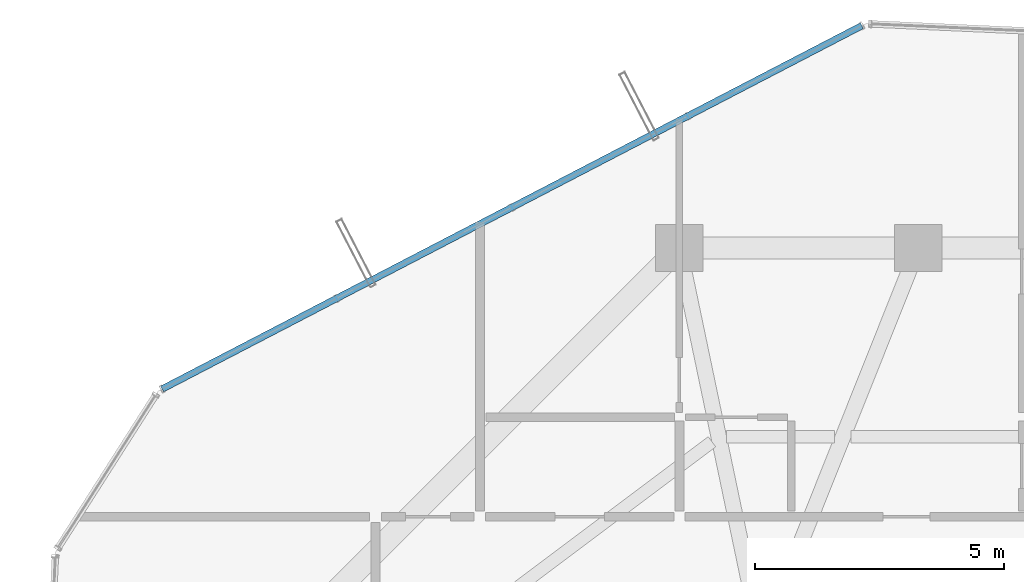
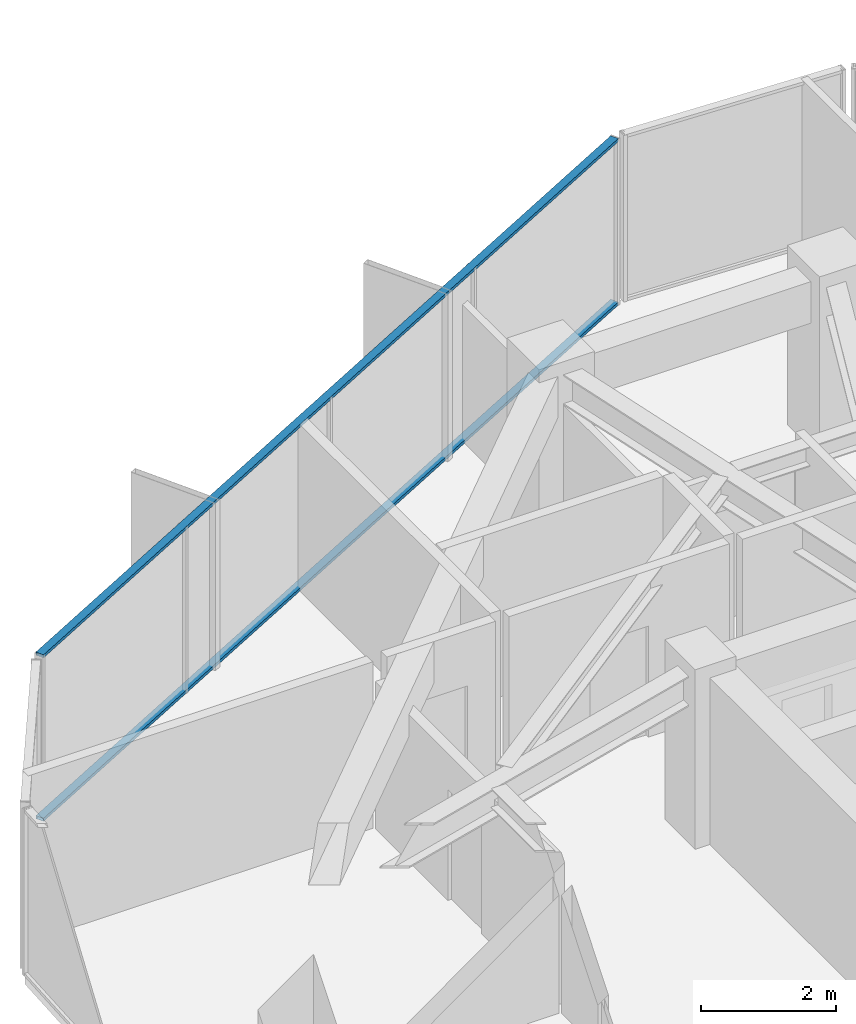
# One storey, part 19 of 29: 2 members, 1 element without a shape of its own.
"""IFC4 building model written with IfcOpenShell, lengths in metres."""

from ifc_helpers import new_model, si_unit, direction, frame, origin, origin_2d, place, context, subcontext, project, spatial, hollow_rectangle, extrude, source, transform, mapped, material, layer, layer_set, material_profile, profile_set, type_object, element, aggregate, save


model = new_model("IFC4")

# Units and contexts
model_context = context("Model", 3, precision=1e-05, world=origin(), true_north=direction((0.0, 1.0)))
body_context = subcontext(model_context, "Body", "Model", "MODEL_VIEW")
ifc_project = project(units=[si_unit("LENGTHUNIT", "METRE"), si_unit("AREAUNIT", "SQUARE_METRE"), si_unit("VOLUMEUNIT", "CUBIC_METRE"), si_unit("PLANEANGLEUNIT", "RADIAN"), si_unit("MASSUNIT", "GRAM", prefix="KILO")], contexts=[model_context])

# Site, building, storey
site_placement = place(None, origin())
site = spatial("IfcSite", under=ifc_project, at=site_placement, CompositionType="ELEMENT")
building_placement = place(site_placement, origin())
building = spatial("IfcBuilding", under=site, at=building_placement, Name="Veraguas Prism Commons", CompositionType="ELEMENT")
storey_placement = place(building_placement, frame((0.0, 0.0, 215.64990234375)))
storey = spatial("IfcBuildingStorey", under=building, at=storey_placement, Name="L61", CompositionType="ELEMENT", Elevation=215.64990234375)

# Curtain wall, members
ifc_material = material(Name="Anodised aluminium EN AW-6063 T6", Category="aluminium")
ifc_layer = layer(ifc_material, 0.14990234375, Name="Unitised Flush Curtain Wall Zone 3", Category="aluminium")
ifc_layer_set = layer_set([ifc_layer], Name="Anodised aluminium EN AW-6063 T6")
curtain_wall_type = type_object("IfcCurtainWallType", Name="Unitised Flush Curtain Wall Zone 3", PredefinedType="NOTDEFINED", material=ifc_layer_set)
curtain_wall_placement = place(storey_placement, origin())
curtain_wall = element("IfcCurtainWall", 1, at=curtain_wall_placement, inside=storey, type_object=curtain_wall_type, Name="Tower Facade Curtain Wall L61-F2", PredefinedType="NOTDEFINED")
ifc_material_profile = material_profile(ifc_material, hollow_rectangle(XDim=0.054931640625, YDim=0.135009765625, WallThickness=0.0029296875, at=origin_2d()), Name="AL55X135X3")
ifc_profile_set = profile_set([ifc_material_profile], Name="Anodised aluminium EN AW-6063 T6")
member_type = type_object("IfcMemberType", Name="Curtain Wall Transom Standard AL 55x135x3", PredefinedType="USERDEFINED", material=ifc_profile_set)
shared_shape = source(origin(), body_context, "Body", "SweptSolid", [
    extrude(hollow_rectangle(XDim=0.054931640625, YDim=0.135009765625, WallThickness=0.0029296875, at=origin_2d()), origin(), (0.0, 0.0, 1.0), 15.842529296875),
])
member_1_placement = place(storey_placement, frame((22.868896484375, 43.367919921875, 0.027587890625), z_axis=(-0.887492925544, -0.460821339686, 0.0), x_axis=(0.0, 0.0, 1.0)))
member_1 = element("IfcMember", 2, at=member_1_placement, type_object=member_type, Name="CW-Z3 Transom 1", ObjectType="TRANSOM", PredefinedType="USERDEFINED", context=body_context, shape_type="MappedRepresentation", body=[
    mapped(shared_shape, transform((0.0, 0.0, 0.0), scale=1.0)),
])
member_2_placement = place(storey_placement, frame((22.868896484375, 43.367919921875, 2.987548828125), z_axis=(-0.887492925544, -0.460821339686, 0.0), x_axis=(0.0, 0.0, 1.0)))
member_2 = element("IfcMember", 3, at=member_2_placement, type_object=member_type, Name="CW-Z3 Transom 2", ObjectType="TRANSOM", PredefinedType="USERDEFINED", context=body_context, shape_type="MappedRepresentation", body=[
    mapped(shared_shape, transform((0.0, 0.0, 0.0), scale=1.0)),
])
aggregate(curtain_wall, [member_1, member_2])

save(model, "model.ifc")
